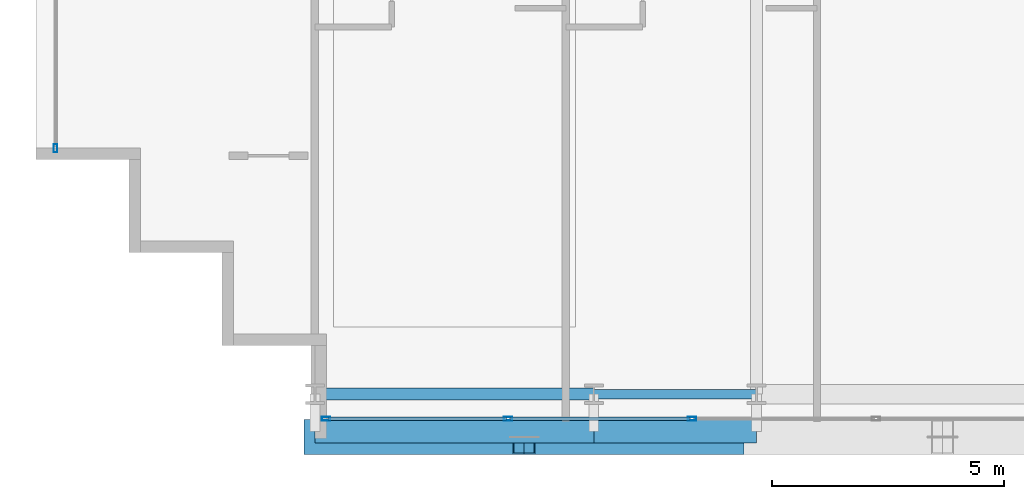
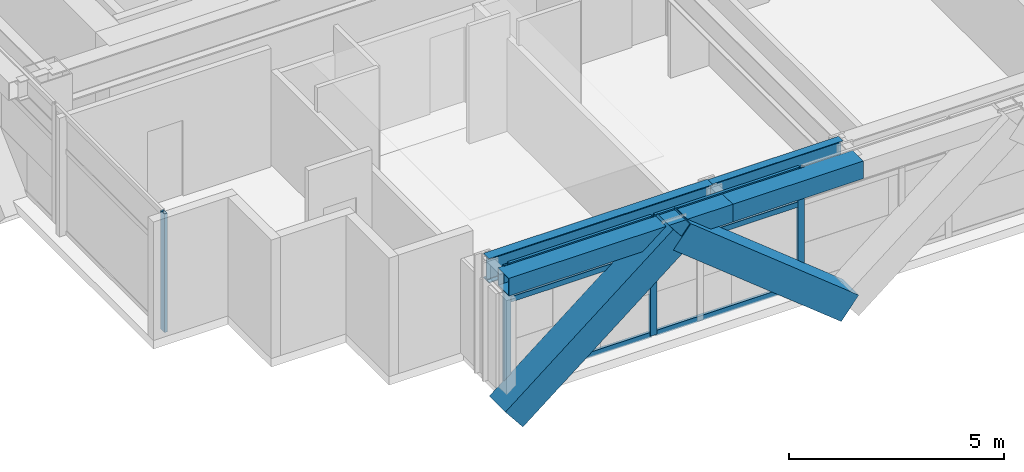
# One storey, part 2 of 39: 12 members, 4 beams, 2 elements without a shape of their own.
"""IFC4 building model written with IfcOpenShell, lengths in metres."""

import ifcopenshell
import ifcopenshell.guid

model = None  # the IFC model being written
_history = None  # IfcOwnerHistory: only IFC2X3 demands one
_inside = {}  # id of a spatial element -> (the spatial element, [elements in it])
_under = {}  # id of a project, library or spatial element -> (it, [spatial elements below it])
_declared = {}  # id of a project -> (the project, [libraries it declares])
_typed = {}  # id of a type object -> (the type object, [elements of that type])
_made_of = {}  # id of a material, layer set ... -> (it, [elements and type objects made of it])


def new_model(schema):
    """Start an empty IFC model of exactly this schema.

    Asked for "IFC4X3", IfcOpenShell would pick the latest addendum, in which some entities
    have other attributes; the version numbers below select the first issue.
    IFC2X3 requires an IfcOwnerHistory on every rooted entity: one is made here for all.
    """
    global model, _history
    if schema == "IFC4X3":
        model = ifcopenshell.file(schema_version=(4, 3, 0, 0))
    else:
        model = ifcopenshell.file(schema=schema)
    _inside.clear()
    _under.clear()
    _declared.clear()
    _typed.clear()
    _made_of.clear()
    _history = None
    if model.schema == "IFC2X3":
        org = make("IfcOrganization", Name="unknown")
        user = make(
            "IfcPersonAndOrganization",
            ThePerson=make("IfcPerson", FamilyName="unknown"),
            TheOrganization=org,
        )
        app = make(
            "IfcApplication",
            ApplicationDeveloper=org,
            Version="unknown",
            ApplicationFullName="unknown",
            ApplicationIdentifier="unknown",
        )
        _history = make(
            "IfcOwnerHistory",
            OwningUser=user,
            OwningApplication=app,
            ChangeAction="ADDED",
            CreationDate=0,
        )
    return model


def make(cls, **values):
    """One entity of the class cls with the attributes given. An attribute that is None is left unset."""
    return model.create_entity(
        cls, **{name: value for name, value in values.items() if value is not None}
    )


def rooted(cls, **values):
    """An entity with a GlobalId (a new one), such as an element, a storey or a relation."""
    return make(cls, GlobalId=ifcopenshell.guid.new(), OwnerHistory=_history, **values)


def si_unit(unit_type, name, prefix=None):
    """IfcSIUnit, for example si_unit("LENGTHUNIT", "METRE", prefix="MILLI")."""
    return make("IfcSIUnit", UnitType=unit_type, Prefix=prefix, Name=name)


def assignment(units):
    """IfcUnitAssignment: the units of a project."""
    return None if units is None else make("IfcUnitAssignment", Units=units)


def point(xyz):
    """IfcCartesianPoint."""
    return None if xyz is None else make("IfcCartesianPoint", Coordinates=xyz)


def direction(xyz):
    """IfcDirection."""
    return None if xyz is None else make("IfcDirection", DirectionRatios=xyz)


def frame(location, z_axis=None, x_axis=None):
    """IfcAxis2Placement3D, a coordinate frame: its origin and axes. An axis left out is left unset."""
    return make(
        "IfcAxis2Placement3D",
        Location=point(location),
        Axis=direction(z_axis),
        RefDirection=direction(x_axis),
    )


def frame_2d(location, x_axis=None):
    """IfcAxis2Placement2D, a coordinate frame in the plane: its origin and x axis."""
    return make(
        "IfcAxis2Placement2D", Location=point(location), RefDirection=direction(x_axis)
    )


def origin():
    """The frame at (0, 0, 0) with its axes left unset."""
    return frame((0.0, 0.0, 0.0))


def origin_2d():
    """The frame at (0, 0) in the plane with its x axis left unset."""
    return frame_2d((0.0, 0.0))


def place(relative_to, where):
    """IfcLocalPlacement: puts the frame where relative to a parent placement (None: the world)."""
    return make(
        "IfcLocalPlacement", PlacementRelTo=relative_to, RelativePlacement=where
    )


def context(
    kind, dimensions, precision=None, world=None, true_north=None, identifier=None
):
    """IfcGeometricRepresentationContext, for example the 3D "Model" context."""
    return make(
        "IfcGeometricRepresentationContext",
        ContextIdentifier=identifier,
        ContextType=kind,
        CoordinateSpaceDimension=dimensions,
        Precision=precision,
        WorldCoordinateSystem=world,
        TrueNorth=true_north,
    )


def subcontext(parent, identifier, kind, view, scale=None):
    """IfcGeometricRepresentationSubContext, for example "Body" below "Model"."""
    return make(
        "IfcGeometricRepresentationSubContext",
        ContextIdentifier=identifier,
        ContextType=kind,
        ParentContext=parent,
        TargetScale=scale,
        TargetView=view,
    )


def project(units=None, contexts=None):
    """IfcProject with its units and contexts."""
    return rooted(
        "IfcProject",
        Name="project",
        RepresentationContexts=contexts,
        UnitsInContext=assignment(units),
    )


def spatial(cls, under=None, at=None, **own):
    """A site, building, storey or space (cls), placed at a placement, below another one or the project."""
    s = rooted(cls, ObjectPlacement=at, **own)
    if under is not None:
        _under.setdefault(under.id(), (under, []))[1].append(s)
    return s


def profile(cls, at=None, kind="AREA", **sizes):
    """A parametric profile (cls). Its sizes go by their IFC names, for example OverallWidth=200.0."""
    return make(cls, ProfileType=kind, Position=at, **sizes)


def hollow_rectangle(**sizes):
    """IfcRectangleHollowProfileDef."""
    return profile("IfcRectangleHollowProfileDef", **sizes)


def i_section(**sizes):
    """IfcIShapeProfileDef."""
    return profile("IfcIShapeProfileDef", **sizes)


def extrude(swept, where, along, depth):
    """IfcExtrudedAreaSolid: the profile swept, set in the frame where, extruded along a direction by depth."""
    return make(
        "IfcExtrudedAreaSolid",
        SweptArea=swept,
        Position=where,
        ExtrudedDirection=direction(along),
        Depth=depth,
    )


def shape(context_of_items, identifier, shape_type, items):
    """IfcShapeRepresentation: the items that make up one representation, for example the "Body"."""
    return make(
        "IfcShapeRepresentation",
        ContextOfItems=context_of_items,
        RepresentationIdentifier=identifier,
        RepresentationType=shape_type,
        Items=items,
    )


def source(mapping_origin, context_of_items, identifier, shape_type, items):
    """IfcRepresentationMap: a shape defined once, which mapped items show again and again."""
    return make(
        "IfcRepresentationMap",
        MappingOrigin=mapping_origin,
        MappedRepresentation=shape(context_of_items, identifier, shape_type, items),
    )


def transform(
    local_origin,
    x_axis=None,
    y_axis=None,
    z_axis=None,
    scale=None,
    scale2=None,
    scale3=None,
    uniform=True,
):
    """IfcCartesianTransformationOperator3D, or its non-uniform kind. x_axis, y_axis, z_axis: its Axis1, 2, 3."""
    if uniform:
        return make(
            "IfcCartesianTransformationOperator3D",
            Axis1=direction(x_axis),
            Axis2=direction(y_axis),
            LocalOrigin=point(local_origin),
            Scale=scale,
            Axis3=direction(z_axis),
        )
    return make(
        "IfcCartesianTransformationOperator3DnonUniform",
        Axis1=direction(x_axis),
        Axis2=direction(y_axis),
        LocalOrigin=point(local_origin),
        Scale=scale,
        Axis3=direction(z_axis),
        Scale2=scale2,
        Scale3=scale3,
    )


def mapped(mapping_source, mapping_target):
    """IfcMappedItem: shows the shape of a source again, moved by a transform."""
    return make(
        "IfcMappedItem", MappingSource=mapping_source, MappingTarget=mapping_target
    )


def material(Name=None, Category=None):
    """IfcMaterial."""
    return make("IfcMaterial", Name=Name, Category=Category)


def layer(
    of_material, thickness, ventilated=None, Name=None, Category=None, Priority=None
):
    """IfcMaterialLayer: one layer of a wall or slab, of a material (None: an air gap)."""
    return make(
        "IfcMaterialLayer",
        Material=of_material,
        LayerThickness=thickness,
        IsVentilated=ventilated,
        Name=Name,
        Category=Category,
        Priority=Priority,
    )


def layer_set(layers, Name=None):
    """IfcMaterialLayerSet."""
    return make("IfcMaterialLayerSet", MaterialLayers=layers, LayerSetName=Name)


def material_profile(
    of_material, cross_section, Name=None, Category=None, Priority=None
):
    """IfcMaterialProfile: a cross section and its material."""
    return make(
        "IfcMaterialProfile",
        Name=Name,
        Material=of_material,
        Profile=cross_section,
        Priority=Priority,
        Category=Category,
    )


def profile_set(profiles, Name=None, composite=None):
    """IfcMaterialProfileSet."""
    return make(
        "IfcMaterialProfileSet",
        Name=Name,
        MaterialProfiles=profiles,
        CompositeProfile=composite,
    )


def made_of(thing, what):
    """Note that an element or type object is made of a material, layer set ...; save() writes the relation."""
    if what is not None:
        _made_of.setdefault(what.id(), (what, []))[1].append(thing)
    return thing


def type_object(cls, material=None, **own):
    """A type object (cls), such as IfcWallType, which elements share."""
    return made_of(rooted(cls, **own), material)


def element(
    cls,
    number,
    at=None,
    inside=None,
    cuts=None,
    type_object=None,
    material=None,
    context=None,
    identifier="Body",
    shape_type=None,
    held_by="IfcProductDefinitionShape",
    body=None,
    shapes=None,
    **own,
):
    """One element of the class cls, such as IfcWall. Its Tag is "e" and its number.

    at: its placement. inside: the storey or other place that contains it. cuts: it is an
    opening in that element (IfcRelVoidsElement). A single representation is given by context,
    identifier, shape_type and body (its items); several are given by shapes. held_by: the class
    of the entity that holds the representations. save() writes the other relations.
    """
    e = rooted(cls, Tag="e%d" % number, ObjectPlacement=at, **own)
    if body is not None:
        shapes = [shape(context, identifier, shape_type, body)]
    if shapes is not None:
        e.Representation = make(held_by, Representations=shapes)
    if inside is not None:
        _inside.setdefault(inside.id(), (inside, []))[1].append(e)
    if cuts is not None:
        rooted(
            "IfcRelVoidsElement", RelatingBuildingElement=cuts, RelatedOpeningElement=e
        )
    if type_object is not None:
        _typed.setdefault(type_object.id(), (type_object, []))[1].append(e)
    return made_of(e, material)


def aggregate(whole, parts):
    """IfcRelAggregates: a whole, such as a stair, and the parts it consists of."""
    return rooted("IfcRelAggregates", RelatingObject=whole, RelatedObjects=parts)


def save(model, path):
    """Write the relations noted so far, then the file.

    IfcRelAggregates (storeys below a building ...), IfcRelContainedInSpatialStructure (elements
    in a storey), IfcRelDefinesByType, IfcRelAssociatesMaterial and IfcRelDeclares: one each for
    every whole, place, type object, material and project.
    """
    for whole, parts in _under.values():
        aggregate(whole, parts)
    for where, things in _inside.values():
        rooted(
            "IfcRelContainedInSpatialStructure",
            RelatedElements=things,
            RelatingStructure=where,
        )
    for kind, things in _typed.values():
        rooted("IfcRelDefinesByType", RelatedObjects=things, RelatingType=kind)
    for what, things in _made_of.values():
        rooted("IfcRelAssociatesMaterial", RelatedObjects=things, RelatingMaterial=what)
    for by, libraries in _declared.values():
        rooted("IfcRelDeclares", RelatingContext=by, RelatedDefinitions=libraries)
    model.write(path)


model = new_model("IFC4")

# Units and contexts
model_context = context("Model", 3, precision=1e-05, world=origin(), true_north=direction((0.0, 1.0)))
body_context = subcontext(model_context, "Body", "Model", "MODEL_VIEW")
ifc_project = project(units=[si_unit("LENGTHUNIT", "METRE"), si_unit("AREAUNIT", "SQUARE_METRE"), si_unit("VOLUMEUNIT", "CUBIC_METRE"), si_unit("PLANEANGLEUNIT", "RADIAN"), si_unit("MASSUNIT", "GRAM", prefix="KILO")], contexts=[model_context])

# Site, building, storey
site_placement = place(None, origin())
site = spatial("IfcSite", under=ifc_project, at=site_placement, CompositionType="ELEMENT")
building_placement = place(site_placement, origin())
building = spatial("IfcBuilding", under=site, at=building_placement, Name="Ocotamira Hotel", CompositionType="ELEMENT")
storey_placement = place(building_placement, frame((0.0, 0.0, 126.0)))
storey = spatial("IfcBuildingStorey", under=building, at=storey_placement, Name="L31", CompositionType="ELEMENT", Elevation=126.0)

# Beams
ifc_material_1 = material(Name="Steel ASTM A992 Grade 50", Category="steel")
ifc_material_profile_1 = material_profile(ifc_material_1, i_section(OverallWidth=0.256103515625, OverallDepth=0.693115234375, WebThickness=0.014404296875, FlangeThickness=0.023681640625, FilletRadius=0.01611328125, at=origin_2d()), Name="W27X114")
ifc_profile_set_1 = profile_set([ifc_material_profile_1], Name="Steel ASTM A992 Grade 50")
beam_type_1 = type_object("IfcBeamType", Name="BM-PRIM-W27X114", PredefinedType="BEAM", material=ifc_profile_set_1)
shared_shape_1 = source(origin(), body_context, "Body", "SweptSolid", [
    extrude(i_section(OverallWidth=0.256103515625, OverallDepth=0.693115234375, WebThickness=0.014404296875, FlangeThickness=0.023681640625, FilletRadius=0.01611328125, at=origin_2d()), origin(), (0.0, 0.0, 1.0), 6.0),
])
beam_1_placement = place(storey_placement, frame((14.0, 2.949951171875, 3.013427734375), z_axis=(1.0, 0.0, 0.0), x_axis=(0.0, 1.0, 0.0)))
element("IfcBeam", 1, at=beam_1_placement, inside=storey, type_object=beam_type_1, Name="L31 Girder Y2.95 X14-20", PredefinedType="BEAM", context=body_context, shape_type="MappedRepresentation", body=[
    mapped(shared_shape_1, transform((0.0, 0.0, 0.0), scale=1.0)),
])
ifc_material_profile_2 = material_profile(ifc_material_1, i_section(OverallWidth=0.2099609375, OverallDepth=0.537109375, WebThickness=0.010986328125, FlangeThickness=0.017333984375, FilletRadius=0.012939453125, at=origin_2d()), Name="W21X68")
ifc_profile_set_2 = profile_set([ifc_material_profile_2], Name="Steel ASTM A992 Grade 50")
beam_type_2 = type_object("IfcBeamType", Name="BM-SEC-W21X68", PredefinedType="JOIST", material=ifc_profile_set_2)
shared_shape_2 = source(origin(), body_context, "Body", "SweptSolid", [
    extrude(i_section(OverallWidth=0.2099609375, OverallDepth=0.537109375, WebThickness=0.010986328125, FlangeThickness=0.017333984375, FilletRadius=0.012939453125, at=origin_2d()), origin(), (0.0, 0.0, 1.0), 3.5),
])
beam_2_placement = place(storey_placement, frame((20.0, 2.949951171875, 3.091552734375), z_axis=(1.0, 0.0, 0.0), x_axis=(0.0, 1.0, 0.0)))
element("IfcBeam", 2, at=beam_2_placement, inside=storey, type_object=beam_type_2, Name="L31 Girder Y2.95 X20-23.5", PredefinedType="JOIST", context=body_context, shape_type="MappedRepresentation", body=[
    mapped(shared_shape_2, transform((0.0, 0.0, 0.0), scale=1.0)),
])
ifc_material_2 = material(Name="Steel ASTM A500 Grade C", Category="steel")
ifc_material_profile_3 = material_profile(ifc_material_2, hollow_rectangle(XDim=0.5, YDim=0.5, WallThickness=0.02001953125, at=origin_2d()), Name="HSS500X500X20")
ifc_profile_set_3 = profile_set([ifc_material_profile_3], Name="Steel ASTM A500 Grade C")
beam_type_3 = type_object("IfcBeamType", Name="BM-SPAN-HSS500", PredefinedType="USERDEFINED", material=ifc_profile_set_3)
shared_shape_3 = source(origin(), body_context, "Body", "SweptSolid", [
    extrude(hollow_rectangle(XDim=0.5, YDim=0.5, WallThickness=0.02001953125, at=origin_2d()), origin(), (0.0, 0.0, 1.0), 6.0),
])
beam_3_placement = place(storey_placement, frame((14.0, 2.14990234375, 3.110107421875), z_axis=(1.0, 0.0, 0.0), x_axis=(0.0, 1.0, 0.0)))
element("IfcBeam", 3, at=beam_3_placement, inside=storey, type_object=beam_type_3, Name="L31 Edge Spandrel S X14-20", ObjectType="SPANDREL", PredefinedType="USERDEFINED", context=body_context, shape_type="MappedRepresentation", body=[
    mapped(shared_shape_3, transform((0.0, 0.0, 0.0), scale=1.0)),
])
shared_shape_4 = source(origin(), body_context, "Body", "SweptSolid", [
    extrude(hollow_rectangle(XDim=0.5, YDim=0.5, WallThickness=0.02001953125, at=origin_2d()), origin(), (0.0, 0.0, 1.0), 3.5),
])
beam_4_placement = place(storey_placement, frame((20.0, 2.14990234375, 3.110107421875), z_axis=(1.0, 0.0, 0.0), x_axis=(0.0, 1.0, 0.0)))
element("IfcBeam", 4, at=beam_4_placement, inside=storey, type_object=beam_type_3, Name="L31 Edge Spandrel S X20-23.5", ObjectType="SPANDREL", PredefinedType="USERDEFINED", context=body_context, shape_type="MappedRepresentation", body=[
    mapped(shared_shape_4, transform((0.0, 0.0, 0.0), scale=1.0)),
])

# Members
ifc_material_3 = material(Name="Pale-metal coated steel ASTM A913 Grade 65", Category="steel")
ifc_material_profile_4 = material_profile(ifc_material_3, hollow_rectangle(XDim=0.75, YDim=0.75, WallThickness=0.028076171875, at=origin_2d()), Name="BOX750X750X28")
ifc_profile_set_4 = profile_set([ifc_material_profile_4], Name="Pale-metal coated steel ASTM A913 Grade 65")
member_type_1 = type_object("IfcMemberType", Name="MEM-EXO-BOX750", PredefinedType="BRACE", material=ifc_profile_set_4)
shared_shape_5 = source(origin(), body_context, "Body", "SweptSolid", [
    extrude(hollow_rectangle(XDim=0.75, YDim=0.75, WallThickness=0.028076171875, at=origin_2d()), origin(), (0.0, 0.0, 1.0), 5.762939453125),
])
for number, where, z_axis, x_axis, name in (
    (5, (14.0, 2.030029296875, -0.489990234375), (0.780860543151, 0.0, 0.624705380279), (0.0, 1.0, 0.0), "L31 Exoskeleton Diagrid S0.1"),
    (6, (23.0, 2.030029296875, -0.489990234375), (-0.780860543151, 0.0, 0.624705380279), (0.0, -1.0, 0.0), "L31 Exoskeleton Diagrid S0.2"),
):
    element("IfcMember", number, at=place(storey_placement, frame(where, z_axis=z_axis, x_axis=x_axis)), inside=storey, type_object=member_type_1, Name=name, PredefinedType="BRACE", context=body_context, shape_type="MappedRepresentation", body=[
        mapped(shared_shape_5, transform((0.0, 0.0, 0.0), scale=1.0)),
    ])

# Curtain wall, members
ifc_material_4 = material(Name="Anodised pale-metal aluminium and solar glass", Category="aluminium")
ifc_layer = layer(ifc_material_4, 0.179931640625)
ifc_layer_set = layer_set([ifc_layer], Name="Anodised pale-metal aluminium and solar glass")
curtain_wall_type = type_object("IfcCurtainWallType", Name="CW-SYS3-Z2", PredefinedType="NOTDEFINED", material=ifc_layer_set)
curtain_wall_1_placement = place(storey_placement, origin())
curtain_wall_1 = element("IfcCurtainWall", 7, at=curtain_wall_1_placement, inside=storey, type_object=curtain_wall_type, Name="L31 Curtain Wall CW-3 CW-L31-S1", PredefinedType="NOTDEFINED")
ifc_material_5 = material(Name="Anodised pale-metal aluminium 6063-T6", Category="aluminium")
ifc_material_profile_5 = material_profile(ifc_material_5, hollow_rectangle(XDim=0.074951171875, YDim=0.14990234375, WallThickness=0.006103515625, at=origin_2d()), Name="HSS150X75X6")
ifc_profile_set_5 = profile_set([ifc_material_profile_5], Name="Anodised pale-metal aluminium 6063-T6")
member_type_2 = type_object("IfcMemberType", Name="CWT-150X75", PredefinedType="USERDEFINED", material=ifc_profile_set_5)
shared_shape_6 = source(origin(), body_context, "Body", "SweptSolid", [
    extrude(hollow_rectangle(XDim=0.074951171875, YDim=0.14990234375, WallThickness=0.006103515625, at=origin_2d()), origin(), (0.0, 0.0, 1.0), 3.83544921875),
])
member_1_placement = place(storey_placement, frame((14.280029296875, 2.419921875, 0.03759765625), z_axis=(1.0, 0.0, 0.0), x_axis=(0.0, 1.0, 0.0)))
member_1 = element("IfcMember", 8, at=member_1_placement, type_object=member_type_2, Name="CW-3 transom 1.1", ObjectType="TRANSOM", PredefinedType="USERDEFINED", context=body_context, shape_type="MappedRepresentation", body=[
    mapped(shared_shape_6, transform((0.0, 0.0, 0.0), scale=1.0)),
])
member_2_placement = place(storey_placement, frame((14.280029296875, 2.419921875, 2.35009765625), z_axis=(1.0, 0.0, 0.0), x_axis=(0.0, 1.0, 0.0)))
member_2 = element("IfcMember", 9, at=member_2_placement, type_object=member_type_2, Name="CW-3 transom 1.2", ObjectType="TRANSOM", PredefinedType="USERDEFINED", context=body_context, shape_type="MappedRepresentation", body=[
    mapped(shared_shape_6, transform((0.0, 0.0, 0.0), scale=1.0)),
])
member_3_placement = place(storey_placement, frame((14.280029296875, 2.419921875, 3.322509765625), z_axis=(1.0, 0.0, 0.0), x_axis=(0.0, 1.0, 0.0)))
member_3 = element("IfcMember", 10, at=member_3_placement, type_object=member_type_2, Name="CW-3 transom 1.3", ObjectType="TRANSOM", PredefinedType="USERDEFINED", context=body_context, shape_type="MappedRepresentation", body=[
    mapped(shared_shape_6, transform((0.0, 0.0, 0.0), scale=1.0)),
])
shared_shape_7 = source(origin(), body_context, "Body", "SweptSolid", [
    extrude(hollow_rectangle(XDim=0.074951171875, YDim=0.14990234375, WallThickness=0.006103515625, at=origin_2d()), origin(), (0.0, 0.0, 1.0), 3.87548828125),
])
member_4_placement = place(storey_placement, frame((18.195556640625, 2.419921875, 0.03759765625), z_axis=(1.0, 0.0, 0.0), x_axis=(0.0, 1.0, 0.0)))
member_4 = element("IfcMember", 11, at=member_4_placement, type_object=member_type_2, Name="CW-3 transom 2.1", ObjectType="TRANSOM", PredefinedType="USERDEFINED", context=body_context, shape_type="MappedRepresentation", body=[
    mapped(shared_shape_7, transform((0.0, 0.0, 0.0), scale=1.0)),
])
member_5_placement = place(storey_placement, frame((18.195556640625, 2.419921875, 2.35009765625), z_axis=(1.0, 0.0, 0.0), x_axis=(0.0, 1.0, 0.0)))
member_5 = element("IfcMember", 12, at=member_5_placement, type_object=member_type_2, Name="CW-3 transom 2.2", ObjectType="TRANSOM", PredefinedType="USERDEFINED", context=body_context, shape_type="MappedRepresentation", body=[
    mapped(shared_shape_7, transform((0.0, 0.0, 0.0), scale=1.0)),
])
member_6_placement = place(storey_placement, frame((18.195556640625, 2.419921875, 3.322509765625), z_axis=(1.0, 0.0, 0.0), x_axis=(0.0, 1.0, 0.0)))
member_6 = element("IfcMember", 13, at=member_6_placement, type_object=member_type_2, Name="CW-3 transom 2.3", ObjectType="TRANSOM", PredefinedType="USERDEFINED", context=body_context, shape_type="MappedRepresentation", body=[
    mapped(shared_shape_7, transform((0.0, 0.0, 0.0), scale=1.0)),
])
ifc_material_profile_6 = material_profile(ifc_material_5, hollow_rectangle(XDim=0.080078125, YDim=0.179931640625, WallThickness=0.006103515625, at=origin_2d()), Name="HSS180X80X6")
ifc_profile_set_6 = profile_set([ifc_material_profile_6], Name="Anodised pale-metal aluminium 6063-T6")
member_type_3 = type_object("IfcMemberType", Name="CWM-180X75", PredefinedType="MULLION", material=ifc_profile_set_6)
shared_shape_8 = source(origin(), body_context, "Body", "SweptSolid", [
    extrude(hollow_rectangle(XDim=0.080078125, YDim=0.179931640625, WallThickness=0.006103515625, at=origin_2d()), origin(), (0.0, 0.0, 1.0), 3.360107421875),
])
member_7_placement = place(storey_placement, frame((14.239990234375, 2.419921875, 0.0), z_axis=(0.0, 0.0, 1.0), x_axis=(0.0, 1.0, 0.0)))
member_7 = element("IfcMember", 14, at=member_7_placement, type_object=member_type_3, Name="CW-3 mullion 1", PredefinedType="MULLION", context=body_context, shape_type="MappedRepresentation", body=[
    mapped(shared_shape_8, transform((0.0, 0.0, 0.0), scale=1.0)),
])
member_8_placement = place(storey_placement, frame((18.155517578125, 2.419921875, 0.0), z_axis=(0.0, 0.0, 1.0), x_axis=(0.0, 1.0, 0.0)))
member_8 = element("IfcMember", 15, at=member_8_placement, type_object=member_type_3, Name="CW-3 mullion 2", PredefinedType="MULLION", context=body_context, shape_type="MappedRepresentation", body=[
    mapped(shared_shape_8, transform((0.0, 0.0, 0.0), scale=1.0)),
])
member_9_placement = place(storey_placement, frame((22.111083984375, 2.419921875, 0.0), z_axis=(0.0, 0.0, 1.0), x_axis=(0.0, 1.0, 0.0)))
member_9 = element("IfcMember", 16, at=member_9_placement, type_object=member_type_3, Name="CW-3 mullion 3", PredefinedType="MULLION", context=body_context, shape_type="MappedRepresentation", body=[
    mapped(shared_shape_8, transform((0.0, 0.0, 0.0), scale=1.0)),
])
aggregate(curtain_wall_1, [member_7, member_8, member_9, member_1, member_2, member_3, member_4, member_5, member_6])

# Curtain wall, member
curtain_wall_2_placement = place(storey_placement, origin())
curtain_wall_2 = element("IfcCurtainWall", 17, at=curtain_wall_2_placement, inside=storey, type_object=curtain_wall_type, Name="L31 Curtain Wall CW-3 CW-L31-W", PredefinedType="NOTDEFINED")
member_10_placement = place(storey_placement, frame((8.419921875, 8.239990234375, 0.0), z_axis=(0.0, 0.0, 1.0), x_axis=(-1.0, 0.0, 0.0)))
member_10 = element("IfcMember", 18, at=member_10_placement, type_object=member_type_3, Name="CW-3 mullion 1", PredefinedType="MULLION", context=body_context, shape_type="MappedRepresentation", body=[
    mapped(shared_shape_8, transform((0.0, 0.0, 0.0), scale=1.0)),
])
aggregate(curtain_wall_2, [member_10])

save(model, "model.ifc")
